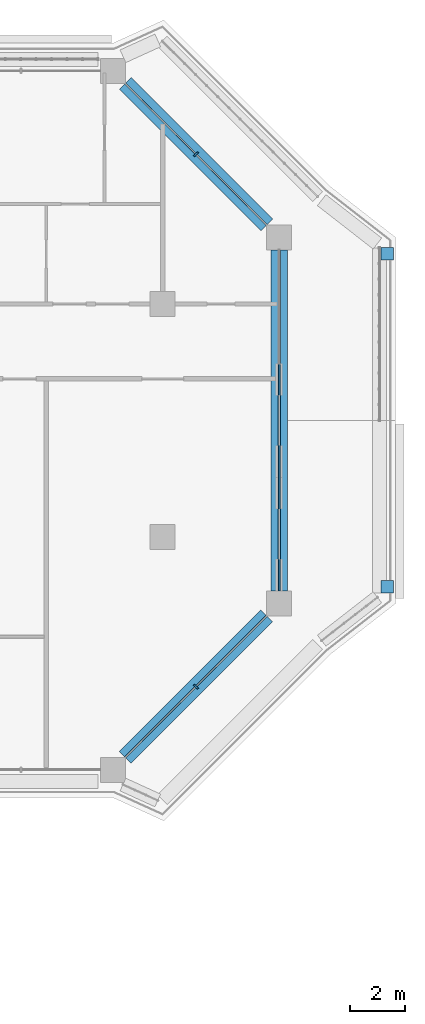
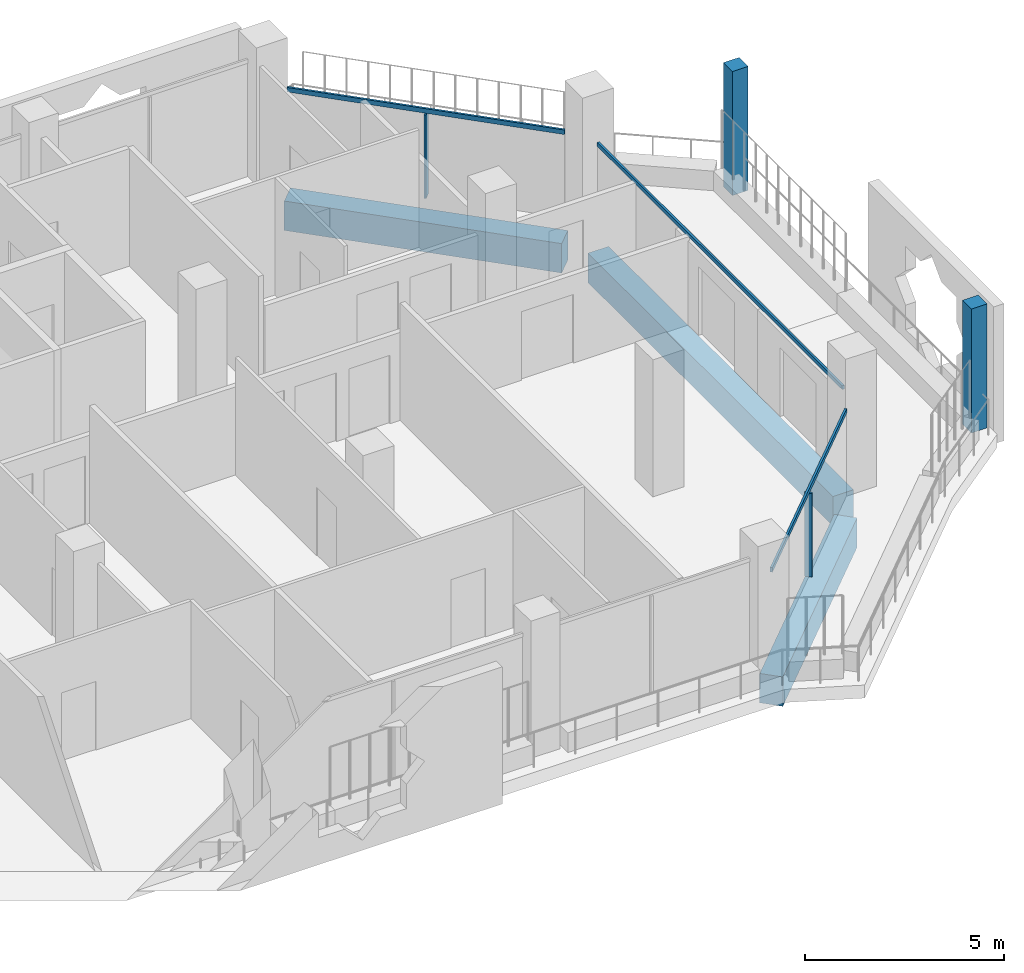
# One storey, part 7 of 21: 7 members, 3 beams, 4 elements without a shape of their own.
"""IFC4 building model written with IfcOpenShell, lengths in metres."""

from ifc_helpers import new_model, si_unit, direction, frame, origin, origin_2d, place, context, subcontext, project, spatial, rectangle, extrude, material, layer, layer_set, material_profile, profile_set, type_object, element, aggregate, save


model = new_model("IFC4")

# Units and contexts
model_context = context("Model", 3, precision=1e-05, world=origin(), true_north=direction((0.0, 1.0)))
body_context = subcontext(model_context, "Body", "Model", "MODEL_VIEW")
ifc_project = project(units=[si_unit("LENGTHUNIT", "METRE"), si_unit("AREAUNIT", "SQUARE_METRE"), si_unit("VOLUMEUNIT", "CUBIC_METRE"), si_unit("PLANEANGLEUNIT", "RADIAN"), si_unit("MASSUNIT", "GRAM", prefix="KILO")], contexts=[model_context])

# Site, building, storey
site_placement = place(None, origin())
site = spatial("IfcSite", under=ifc_project, at=site_placement, CompositionType="ELEMENT")
building_placement = place(site_placement, origin())
building = spatial("IfcBuilding", under=site, at=building_placement, Name="Kawkab Arch Medical Tower", CompositionType="ELEMENT")
storey_placement = place(building_placement, frame((0.0, 0.0, 260.0)))
storey = spatial("IfcBuildingStorey", under=building, at=storey_placement, Name="L60", CompositionType="ELEMENT", Elevation=260.0)

# Curtain wall, member
ifc_material_1 = material(Name="Bronze anodised aluminium curtain wall frame", Category="aluminium")
ifc_layer_1 = layer(ifc_material_1, 0.159912109375)
ifc_layer_set_1 = layer_set([ifc_layer_1], Name="Bronze anodised aluminium curtain wall frame")
curtain_wall_type_1 = type_object("IfcCurtainWallType", Name="CW1 ward curtain wall", PredefinedType="NOTDEFINED", material=ifc_layer_set_1)
placement = place(storey_placement, origin())
curtain_wall_1 = element("IfcCurtainWall", 1, at=placement, inside=storey, type_object=curtain_wall_type_1, Name="CW1 Ward curtain wall R09", PredefinedType="NOTDEFINED")
ifc_material_2 = material(Name="Bronze anodised aluminium curtain wall frame", Category="aluminium")
ifc_material_profile_1 = material_profile(ifc_material_2, rectangle(XDim=0.06005859375, YDim=0.1201171875, at=origin_2d()), Name="AL 60x120")
ifc_profile_set_1 = profile_set([ifc_material_profile_1], Name="Bronze anodised aluminium curtain wall frame")
member_type_1 = type_object("IfcMemberType", Name="CW1 transom 120 x 60", PredefinedType="USERDEFINED", material=ifc_profile_set_1)
member_1_placement = place(storey_placement, frame((63.0, -18.75, 2.639892578125), z_axis=(0.0, 1.0, 0.0), x_axis=(-1.0, 0.0, 0.0)))
member_1 = element("IfcMember", 2, at=member_1_placement, type_object=member_type_1, Name="CW1 transom 1", ObjectType="TRANSOM", PredefinedType="USERDEFINED", context=body_context, shape_type="SweptSolid", body=[
    extrude(rectangle(XDim=0.06005859375, YDim=0.1201171875, at=origin_2d()), origin(), (0.0, 0.0, 1.0), 12.300048828125),
])
aggregate(curtain_wall_1, [member_1])

ifc_material_3 = material(Name="Bronze anodised aluminium curtain wall frame", Category="aluminium")
ifc_layer_2 = layer(ifc_material_3, 0.159912109375)
ifc_layer_set_2 = layer_set([ifc_layer_2], Name="Bronze anodised aluminium curtain wall frame")
curtain_wall_type_2 = type_object("IfcCurtainWallType", Name="CW2 chamfer curtain wall", PredefinedType="NOTDEFINED", material=ifc_layer_set_2)
curtain_wall_2 = element("IfcCurtainWall", 3, at=placement, inside=storey, type_object=curtain_wall_type_2, Name="CW2 Chamfer curtain wall R08", PredefinedType="NOTDEFINED")
ifc_material_4 = material(Name="Bronze anodised aluminium curtain wall frame", Category="aluminium")
ifc_material_profile_2 = material_profile(ifc_material_4, rectangle(XDim=0.199951171875, YDim=0.06005859375, at=origin_2d()), Name="AL 60x200")
ifc_profile_set_2 = profile_set([ifc_material_profile_2], Name="Bronze anodised aluminium curtain wall frame")
member_type_2 = type_object("IfcMemberType", Name="CW2 mullion 60 x 200", PredefinedType="MULLION", material=ifc_profile_set_2)
member_2_placement = place(storey_placement, frame((60.0, -22.199951171875, 0.0), z_axis=(0.0, 0.0, 1.0), x_axis=(-0.707106781187, 0.707106781187, 0.0)))
member_2 = element("IfcMember", 4, at=member_2_placement, type_object=member_type_2, Name="CW2 mullion 1.1", PredefinedType="MULLION", context=body_context, shape_type="SweptSolid", body=[
    extrude(rectangle(XDim=0.199951171875, YDim=0.06005859375, at=origin_2d()), origin(), (0.0, 0.0, 1.0), 2.56005859375),
])

curtain_wall_3 = element("IfcCurtainWall", 5, at=placement, inside=storey, type_object=curtain_wall_type_2, Name="CW2 Chamfer curtain wall R10", PredefinedType="NOTDEFINED")
member_3_placement = place(storey_placement, frame((60.0, -3.0, 0.0), z_axis=(0.0, 0.0, 1.0), x_axis=(-0.707106781187, -0.707106781187, 0.0)))
member_3 = element("IfcMember", 6, at=member_3_placement, type_object=member_type_2, Name="CW2 mullion 1.1", PredefinedType="MULLION", context=body_context, shape_type="SweptSolid", body=[
    extrude(rectangle(XDim=0.199951171875, YDim=0.06005859375, at=origin_2d()), origin(), (0.0, 0.0, 1.0), 2.56005859375),
])

# Member
ifc_material_5 = material(Name="Bronze anodised aluminium curtain wall frame", Category="aluminium")
ifc_material_profile_3 = material_profile(ifc_material_5, rectangle(XDim=0.06005859375, YDim=0.139892578125, at=origin_2d()), Name="AL 60x140")
ifc_profile_set_3 = profile_set([ifc_material_profile_3], Name="Bronze anodised aluminium curtain wall frame")
member_type_3 = type_object("IfcMemberType", Name="CW2 transom 140 x 60", PredefinedType="USERDEFINED", material=ifc_profile_set_3)
member_4_placement = place(storey_placement, frame((57.449951171875, -24.75, 2.6298828125), z_axis=(0.707106781187, 0.707106781187, 0.0), x_axis=(-0.707106781187, 0.707106781187, 0.0)))
member_4 = element("IfcMember", 7, at=member_4_placement, type_object=member_type_3, Name="CW2 transom 1", ObjectType="TRANSOM", PredefinedType="USERDEFINED", context=body_context, shape_type="SweptSolid", body=[
    extrude(rectangle(XDim=0.06005859375, YDim=0.139892578125, at=origin_2d()), origin(), (0.0, 0.0, 1.0), 7.212646484375),
])

aggregate(curtain_wall_2, [member_4, member_2])

member_5_placement = place(storey_placement, frame((62.550048828125, -5.550048828125, 2.6298828125), z_axis=(-0.707106781187, 0.707106781187, 0.0), x_axis=(-0.707106781187, -0.707106781187, 0.0)))
member_5 = element("IfcMember", 8, at=member_5_placement, type_object=member_type_3, Name="CW2 transom 1", ObjectType="TRANSOM", PredefinedType="USERDEFINED", context=body_context, shape_type="SweptSolid", body=[
    extrude(rectangle(XDim=0.06005859375, YDim=0.139892578125, at=origin_2d()), origin(), (0.0, 0.0, 1.0), 7.212646484375),
])

aggregate(curtain_wall_3, [member_5, member_3])

# Curtain wall, members
ifc_material_6 = material(Name="Bronze anodised aluminium climber frame, planted", Category="aluminium")
ifc_layer_3 = layer(ifc_material_6, 0.449951171875)
ifc_layer_set_3 = layer_set([ifc_layer_3], Name="Bronze anodised aluminium climber frame, planted")
curtain_wall_type_3 = type_object("IfcCurtainWallType", Name="Planted climber frame", PredefinedType="NOTDEFINED", material=ifc_layer_set_3)
curtain_wall_4 = element("IfcCurtainWall", 9, at=placement, inside=storey, type_object=curtain_wall_type_3, Name="Planted climber frame L60", PredefinedType="NOTDEFINED")
ifc_material_7 = material(Name="Bronze anodised aluminium climber frame, planted", Category="aluminium")
ifc_material_profile_4 = material_profile(ifc_material_7, rectangle(XDim=0.449951171875, YDim=0.449951171875, at=origin_2d()), Name="Post 450x450")
ifc_profile_set_4 = profile_set([ifc_material_profile_4], Name="Bronze anodised aluminium climber frame, planted")
member_type_4 = type_object("IfcMemberType", Name="Planted climber post 450 x 450", PredefinedType="MULLION", material=ifc_profile_set_4)
member_6_placement = place(storey_placement, frame((66.89990234375, -6.596923828125, 0.0), z_axis=(0.0, 0.0, 1.0), x_axis=(1.0, 0.0, 0.0)))
member_6 = element("IfcMember", 10, at=member_6_placement, type_object=member_type_4, Name="Planted climber post L60.LOG-01-01.1", PredefinedType="MULLION", context=body_context, shape_type="SweptSolid", body=[
    extrude(rectangle(XDim=0.449951171875, YDim=0.449951171875, at=origin_2d()), origin(), (0.0, 0.0, 1.0), 3.800048828125),
])
member_7_placement = place(storey_placement, frame((66.89990234375, -18.60302734375, 0.0), z_axis=(0.0, 0.0, 1.0), x_axis=(1.0, 0.0, 0.0)))
member_7 = element("IfcMember", 11, at=member_7_placement, type_object=member_type_4, Name="Planted climber post L60.LOG-01-01.2", PredefinedType="MULLION", context=body_context, shape_type="SweptSolid", body=[
    extrude(rectangle(XDim=0.449951171875, YDim=0.449951171875, at=origin_2d()), origin(), (0.0, 0.0, 1.0), 3.800048828125),
])
aggregate(curtain_wall_4, [member_6, member_7])

# Beams
ifc_material_8 = material(Name="Concrete C45/55", Category="concrete")
ifc_material_profile_5 = material_profile(ifc_material_8, rectangle(XDim=0.60009765625, YDim=0.89990234375, at=origin_2d()), Name="RC 600x900")
ifc_profile_set_5 = profile_set([ifc_material_profile_5], Name="Concrete C45/55")
beam_type = type_object("IfcBeamType", Name="RC 600x900 beam C45/55", PredefinedType="BEAM", material=ifc_profile_set_5)
beam_1_placement = place(storey_placement, frame((57.449951171875, -0.449951171875, -1.050048828125), z_axis=(0.707106781187, -0.707106781187, 0.0), x_axis=(0.707106781187, 0.707106781187, 0.0)))
element("IfcBeam", 12, at=beam_1_placement, inside=storey, type_object=beam_type, Name="Overhang edge beam L60-01", PredefinedType="BEAM", context=body_context, shape_type="SweptSolid", body=[
    extrude(rectangle(XDim=0.60009765625, YDim=0.89990234375, at=origin_2d()), origin(), (0.0, 0.0, 1.0), 7.212646484375),
])
beam_2_placement = place(storey_placement, frame((63.0, -6.449951171875, -1.050048828125), z_axis=(0.0, -1.0, 0.0), x_axis=(1.0, 0.0, 0.0)))
element("IfcBeam", 13, at=beam_2_placement, inside=storey, type_object=beam_type, Name="Overhang edge beam L60-02", PredefinedType="BEAM", context=body_context, shape_type="SweptSolid", body=[
    extrude(rectangle(XDim=0.60009765625, YDim=0.89990234375, at=origin_2d()), origin(), (0.0, 0.0, 1.0), 12.300048828125),
])
beam_3_placement = place(storey_placement, frame((62.550048828125, -19.64990234375, -1.050048828125), z_axis=(-0.707106781187, -0.707106781187, 0.0), x_axis=(0.707106781187, -0.707106781187, 0.0)))
element("IfcBeam", 14, at=beam_3_placement, inside=storey, type_object=beam_type, Name="Overhang edge beam L60-03", PredefinedType="BEAM", context=body_context, shape_type="SweptSolid", body=[
    extrude(rectangle(XDim=0.60009765625, YDim=0.89990234375, at=origin_2d()), origin(), (0.0, 0.0, 1.0), 7.212646484375),
])

save(model, "model.ifc")
